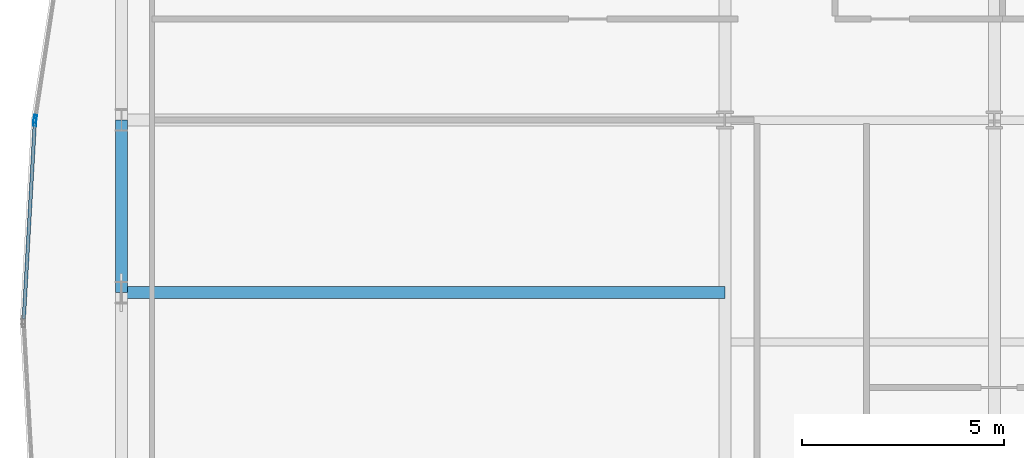
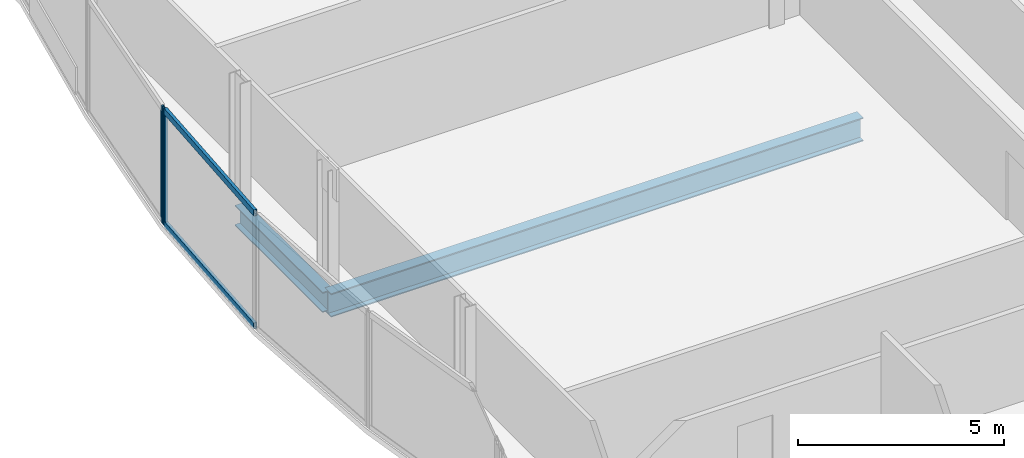
# One storey, part 11 of 33: 4 members, 2 beams, 2 elements without a shape of their own.
"""IFC4 building model written with IfcOpenShell, lengths in metres."""

from ifc_helpers import new_model, si_unit, direction, frame, origin, origin_2d, place, context, subcontext, project, spatial, hollow_rectangle, i_section, extrude, material, material_profile, profile_set, type_object, element, aggregate, save


model = new_model("IFC4")

# Units and contexts
model_context = context("Model", 3, precision=1e-05, world=origin(), true_north=direction((0.0, 1.0)))
body_context = subcontext(model_context, "Body", "Model", "MODEL_VIEW")
ifc_project = project(units=[si_unit("LENGTHUNIT", "METRE"), si_unit("AREAUNIT", "SQUARE_METRE"), si_unit("VOLUMEUNIT", "CUBIC_METRE"), si_unit("PLANEANGLEUNIT", "RADIAN"), si_unit("MASSUNIT", "GRAM", prefix="KILO")], contexts=[model_context])

# Site, building, storey
site_placement = place(None, origin())
site = spatial("IfcSite", under=ifc_project, at=site_placement, CompositionType="ELEMENT")
building_placement = place(site_placement, origin())
building = spatial("IfcBuilding", under=site, at=building_placement, Name="Khoronbel Lancet Exchange", CompositionType="ELEMENT")
storey_placement = place(building_placement, frame((0.0, 0.0, 114.60009765625)))
storey = spatial("IfcBuildingStorey", under=building, at=storey_placement, Name="L27", CompositionType="ELEMENT", Elevation=114.60009765625)

# Beams
ifc_material_1 = material(Name="Steel S355", Category="steel")
ifc_material_profile_1 = material_profile(ifc_material_1, i_section(OverallWidth=0.300048828125, OverallDepth=0.699951171875, WebThickness=0.01708984375, FlangeThickness=0.031982421875, at=origin_2d()), Name="HEB 700")
ifc_profile_set_1 = profile_set([ifc_material_profile_1], Name="Steel S355")
beam_type_1 = type_object("IfcBeamType", Name="BM-BG3", PredefinedType="BEAM", material=ifc_profile_set_1)
beam_1_placement = place(storey_placement, frame((3.27001953125, 31.425048828125, -0.510009765625), z_axis=(1.0, 0.0, 0.0), x_axis=(0.0, 1.0, 0.0)))
element("IfcBeam", 1, at=beam_1_placement, inside=storey, type_object=beam_type_1, Name="Level L27 west lens tie girder LG2W", PredefinedType="BEAM", context=body_context, shape_type="SweptSolid", body=[
    extrude(i_section(OverallWidth=0.300048828125, OverallDepth=0.699951171875, WebThickness=0.01708984375, FlangeThickness=0.031982421875, at=origin_2d()), origin(), (0.0, 0.0, 1.0), 14.955078125),
])
ifc_material_profile_2 = material_profile(ifc_material_1, i_section(OverallWidth=0.300048828125, OverallDepth=0.60009765625, WebThickness=0.015380859375, FlangeThickness=0.030029296875, at=origin_2d()), Name="HEB 600")
ifc_profile_set_2 = profile_set([ifc_material_profile_2], Name="Steel S355")
beam_type_2 = type_object("IfcBeamType", Name="BM-BSP2", PredefinedType="SPANDREL", material=ifc_profile_set_2)
beam_2_placement = place(storey_placement, frame((3.27001953125, 35.699951171875, -0.460205078125), z_axis=(0.0, -1.0, 0.0), x_axis=(1.0, 0.0, 0.0)))
element("IfcBeam", 2, at=beam_2_placement, inside=storey, type_object=beam_type_2, Name="Level L27 perimeter spandrel beam SP18", PredefinedType="SPANDREL", context=body_context, shape_type="SweptSolid", body=[
    extrude(i_section(OverallWidth=0.300048828125, OverallDepth=0.60009765625, WebThickness=0.015380859375, FlangeThickness=0.030029296875, at=origin_2d()), origin(), (0.0, 0.0, 1.0), 4.27490234375),
])

# Curtain wall, member
ifc_material_2 = material(Name="Low-E Solar Control Insulating Glass", Category="glass")
curtain_wall_type = type_object("IfcCurtainWallType", Name="CW-4", PredefinedType="NOTDEFINED", material=ifc_material_2)
curtain_wall_1_placement = place(storey_placement, origin())
curtain_wall_1 = element("IfcCurtainWall", 3, at=curtain_wall_1_placement, inside=storey, type_object=curtain_wall_type, Name="Unitised curtain wall CW-L27-E07", PredefinedType="NOTDEFINED")
ifc_material_3 = material(Name="Bronze-Anodised Aluminium 6063-T6", Category="aluminium")
ifc_material_profile_3 = material_profile(ifc_material_3, hollow_rectangle(XDim=0.074951171875, YDim=0.199951171875, WallThickness=0.0048828125, at=origin_2d()), Name="ALU MULLION 75x200")
ifc_profile_set_3 = profile_set([ifc_material_profile_3], Name="Bronze-Anodised Aluminium 6063-T6")
member_type_1 = type_object("IfcMemberType", Name="MEM-CWM2", PredefinedType="MULLION", material=ifc_profile_set_3)
member_1_placement = place(storey_placement, frame((1.124267578125, 35.653076171875, 0.0), z_axis=(0.0, 0.0, 1.0), x_axis=(-0.998429793732, 0.056017381128, 0.0)))
member_1 = element("IfcMember", 4, at=member_1_placement, type_object=member_type_1, Name="CW4 mullion 2", PredefinedType="MULLION", context=body_context, shape_type="SweptSolid", body=[
    extrude(hollow_rectangle(XDim=0.074951171875, YDim=0.199951171875, WallThickness=0.0048828125, at=origin_2d()), origin(), (0.0, 0.0, 1.0), 3.43994140625),
])

curtain_wall_2_placement = place(storey_placement, origin())
curtain_wall_2 = element("IfcCurtainWall", 5, at=curtain_wall_2_placement, inside=storey, type_object=curtain_wall_type, Name="Unitised curtain wall CW-L27-E08", PredefinedType="NOTDEFINED")
member_2_placement = place(storey_placement, frame((1.132080078125, 35.727783203125, 0.0), z_axis=(0.0, 0.0, 1.0), x_axis=(-0.988454851149, 0.151515699646, 0.0)))
member_2 = element("IfcMember", 6, at=member_2_placement, type_object=member_type_1, Name="CW4 mullion 1", PredefinedType="MULLION", context=body_context, shape_type="SweptSolid", body=[
    extrude(hollow_rectangle(XDim=0.074951171875, YDim=0.199951171875, WallThickness=0.0048828125, at=origin_2d()), origin(), (0.0, 0.0, 1.0), 3.43994140625),
])
aggregate(curtain_wall_2, [member_2])

# Member
ifc_material_profile_4 = material_profile(ifc_material_3, hollow_rectangle(XDim=0.0849609375, YDim=0.179931640625, WallThickness=0.0048828125, at=origin_2d()), Name="ALU TRANSOM 85x180")
ifc_profile_set_4 = profile_set([ifc_material_profile_4], Name="Bronze-Anodised Aluminium 6063-T6")
member_type_2 = type_object("IfcMemberType", Name="MEM-CWT1", PredefinedType="USERDEFINED", material=ifc_profile_set_4)
member_3_placement = place(storey_placement, frame((0.8505859375, 30.77490234375, 0.04248046875), z_axis=(0.056044516116, 0.998428270941, 0.0), x_axis=(-0.998428270941, 0.056044516116, 0.0)))
member_3 = element("IfcMember", 7, at=member_3_placement, type_object=member_type_2, Name="CW4 transom 1.1", ObjectType="TRANSOM", PredefinedType="USERDEFINED", context=body_context, shape_type="SweptSolid", body=[
    extrude(hollow_rectangle(XDim=0.0849609375, YDim=0.179931640625, WallThickness=0.0048828125, at=origin_2d()), origin(), (0.0, 0.0, 1.0), 4.848388671875),
])

member_4_placement = place(storey_placement, frame((0.8505859375, 30.77490234375, 3.3974609375), z_axis=(0.056044516116, 0.998428270941, 0.0), x_axis=(-0.998428270941, 0.056044516116, 0.0)))
member_4 = element("IfcMember", 8, at=member_4_placement, type_object=member_type_2, Name="CW4 transom 1.2", ObjectType="TRANSOM", PredefinedType="USERDEFINED", context=body_context, shape_type="SweptSolid", body=[
    extrude(hollow_rectangle(XDim=0.0849609375, YDim=0.179931640625, WallThickness=0.0048828125, at=origin_2d()), origin(), (0.0, 0.0, 1.0), 4.848388671875),
])

aggregate(curtain_wall_1, [member_1, member_3, member_4])

save(model, "model.ifc")
